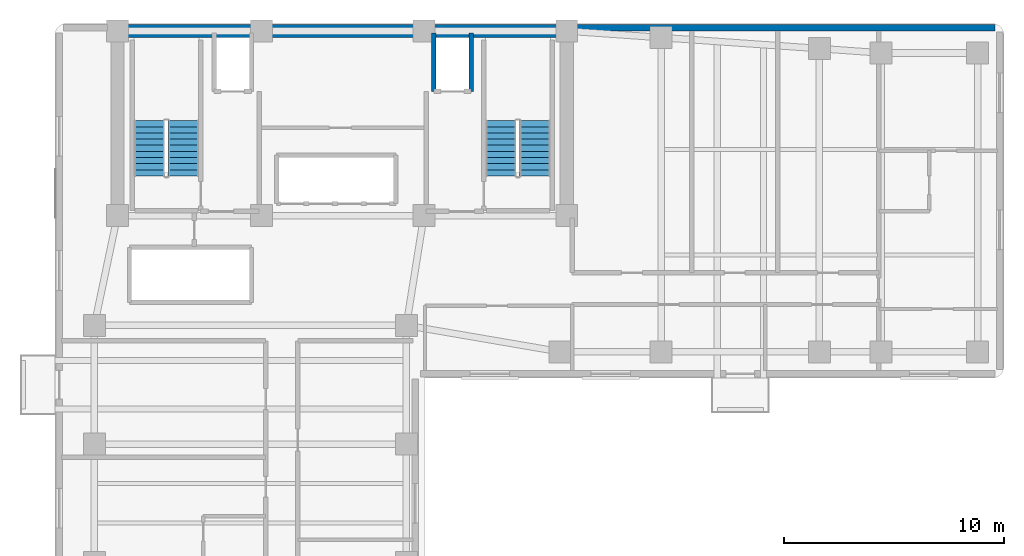
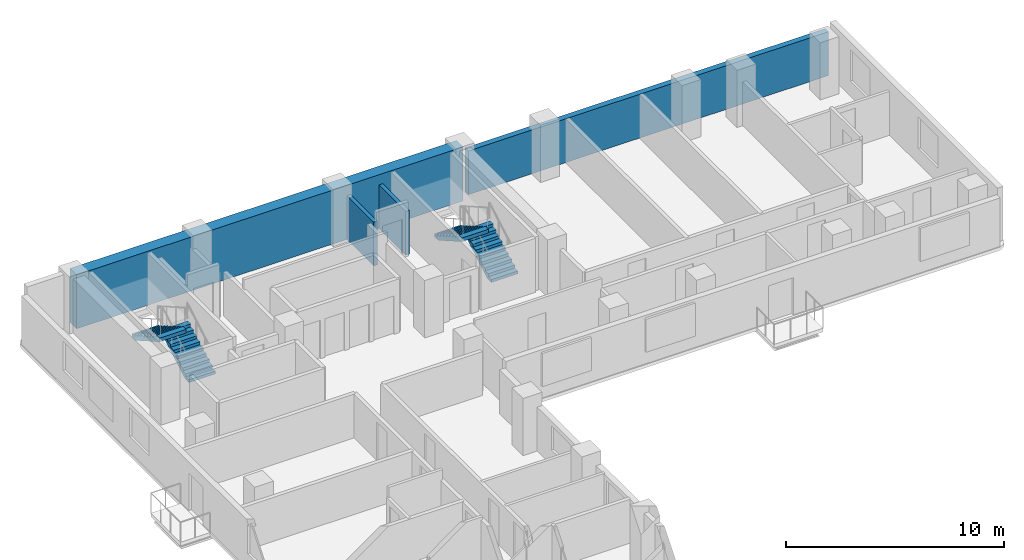
# One storey, part 5 of 7: 4 stair flights, 4 walls, 2 elements without a shape of their own.
"""IFC4 building model written with IfcOpenShell, lengths in metres."""

from ifc_helpers import new_model, si_unit, direction, frame, frame_2d, origin, place, context, subcontext, project, spatial, polyline, rectangle, outline, extrude, material, layer, layer_set, type_object, element, aggregate, save


model = new_model("IFC4")

# Units and contexts
model_context = context("Model", 3, precision=1e-05, world=origin(), true_north=direction((0.0, 1.0)))
body_context = subcontext(model_context, "Body", "Model", "MODEL_VIEW")
ifc_project = project(units=[si_unit("LENGTHUNIT", "METRE"), si_unit("AREAUNIT", "SQUARE_METRE"), si_unit("VOLUMEUNIT", "CUBIC_METRE"), si_unit("PLANEANGLEUNIT", "RADIAN"), si_unit("MASSUNIT", "GRAM", prefix="KILO")], contexts=[model_context])

# Site, building, storey
site_placement = place(None, origin())
site = spatial("IfcSite", under=ifc_project, at=site_placement, CompositionType="ELEMENT")
building_placement = place(site_placement, origin())
building = spatial("IfcBuilding", under=site, at=building_placement, Name="Kuzgunbayir Cultural Tower", CompositionType="ELEMENT")
storey_placement = place(building_placement, frame((0.0, 0.0, 136.199951171875)))
storey = spatial("IfcBuildingStorey", under=building, at=storey_placement, Name="L39", CompositionType="ELEMENT", Elevation=136.199951171875)

# Walls
ifc_material_1 = material(Name="Concrete C60/75", Category="concrete")
ifc_layer_1 = layer(ifc_material_1, 0.60009765625)
ifc_layer_set_1 = layer_set([ifc_layer_1], Name="Concrete C60/75")
wall_type_1 = type_object("IfcWallType", Name="WAL-CORE-600", PredefinedType="SHEAR", material=ifc_layer_set_1)
wall_1_placement = place(storey_placement, frame((6.449951171875, 42.199951171875, 0.0), z_axis=(0.0, 0.0, 1.0), x_axis=(1.0, 0.0, 0.0)))
element("IfcWall", 1, at=wall_1_placement, inside=storey, type_object=wall_type_1, Name="L39 T1 Core North Shear Wall", PredefinedType="SHEAR", context=body_context, shape_type="SweptSolid", body=[
    extrude(rectangle(XDim=20.449951171875, YDim=0.60009765625, at=frame_2d((10.22509765625, 0.0))), origin(), (0.0, 0.0, 1.0), 3.02001953125),
])
ifc_material_2 = material(Name="Anatolian Cream Limestone", Category="masonry")
ifc_layer_2 = layer(ifc_material_2, 0.300048828125)
ifc_layer_set_2 = layer_set([ifc_layer_2], Name="Anatolian Cream Limestone")
wall_type_2 = type_object("IfcWallType", Name="WAL-EXT-STONE-300", PredefinedType="STANDARD", material=ifc_layer_set_2)
wall_2_placement = place(storey_placement, frame((46.39990234375, 42.35009765625, 0.0), z_axis=(0.0, 0.0, 1.0), x_axis=(-1.0, 0.0, 0.0)))
element("IfcWall", 2, at=wall_2_placement, inside=storey, type_object=wall_type_2, Name="L39 North Wing B Limestone Wall", PredefinedType="STANDARD", context=body_context, shape_type="SweptSolid", body=[
    extrude(rectangle(XDim=19.0498046875, YDim=0.300048828125, at=frame_2d((9.52490234375, 0.0))), origin(), (0.0, 0.0, 1.0), 2.449951171875),
])
ifc_material_3 = material(Name="Concrete C40/50", Category="concrete")
ifc_layer_3 = layer(ifc_material_3, 0.199951171875)
ifc_layer_set_3 = layer_set([ifc_layer_3], Name="Concrete C40/50")
wall_type_3 = type_object("IfcWallType", Name="WAL-SHAFT-200", PredefinedType="MOVABLE", material=ifc_layer_set_3)
for number, where, z_axis, x_axis, name in (
    (3, (20.85009765625, 39.449951171875, 0.0), (0.0, 0.0, 1.0), (0.0, 1.0, 0.0), "L39 FFL-2 Shaft West Wall"),
    (4, (22.550048828125, 39.449951171875, 0.0), (0.0, 0.0, 1.0), (0.0, 1.0, 0.0), "L39 FFL-2 Shaft East Wall"),
):
    element("IfcWall", number, at=place(storey_placement, frame(where, z_axis=z_axis, x_axis=x_axis)), inside=storey, type_object=wall_type_3, Name=name, PredefinedType="MOVABLE", context=body_context, shape_type="SweptSolid", body=[
        extrude(rectangle(XDim=2.650146484375, YDim=0.199951171875, at=frame_2d((1.3251953125, 0.0))), origin(), (0.0, 0.0, 1.0), 2.449951171875),
    ])

# Stair, stair flights
stair_type = type_object("IfcStairType", Name="STR-EXIT-CORE", PredefinedType="HALF_TURN_STAIR", material=ifc_material_3)
stair_1_placement = place(storey_placement, origin())
stair_1 = element("IfcStair", 5, at=stair_1_placement, inside=storey, type_object=stair_type, Name="L39 ST-1", PredefinedType="HALF_TURN_STAIR")
stair_flight_type = type_object("IfcStairFlightType", Name="STRF-RC-140", PredefinedType="STRAIGHT", material=ifc_material_3)
stair_flight_1_placement = place(storey_placement, frame((9.4599609375, 35.60009765625, 0.0), z_axis=(0.0, 0.0, 1.0), x_axis=(0.0, 1.0, 0.0)))
stair_flight_1 = element("IfcStairFlight", 6, at=stair_flight_1_placement, type_object=stair_flight_type, Name="ST-1 flight 1", NumberOfRisers=10, NumberOfTreads=9, PredefinedType="STRAIGHT", RiserHeight=0.16, TreadLength=0.28, context=body_context, shape_type="SweptSolid", body=[
    extrude(outline(polyline([(0.0, 0.0), (0.0, 0.159912109375), (0.280029296875, 0.159912109375), (0.280029296875, 0.320068359375), (0.56005859375, 0.320068359375), (0.56005859375, 0.47998046875), (0.840087890625, 0.47998046875), (0.840087890625, 0.639892578125), (1.1201171875, 0.639892578125), (1.1201171875, 0.800048828125), (1.39990234375, 0.800048828125), (1.39990234375, 0.9599609375), (1.679931640625, 0.9599609375), (1.679931640625, 1.1201171875), (1.9599609375, 1.1201171875), (1.9599609375, 1.280029296875), (2.239990234375, 1.280029296875), (2.239990234375, 1.43994140625), (2.52001953125, 1.43994140625), (2.52001953125, 1.60009765625), (2.52001953125, 1.232666015625), (0.362548828125, 0.0), (0.0, 0.0)])), frame((0.0, 0.699951171875, 0.0), z_axis=(0.0, -1.0, 0.0), x_axis=(1.0, 0.0, 0.0)), (0.0, 0.0, 1.0), 1.39990234375),
])
stair_flight_2_placement = place(storey_placement, frame((7.89990234375, 38.1201171875, 1.60009765625), z_axis=(0.0, 0.0, 1.0), x_axis=(0.0, -1.0, 0.0)))
stair_flight_2 = element("IfcStairFlight", 7, at=stair_flight_2_placement, type_object=stair_flight_type, Name="ST-1 flight 2", NumberOfRisers=10, NumberOfTreads=9, PredefinedType="STRAIGHT", RiserHeight=0.16, TreadLength=0.28, context=body_context, shape_type="SweptSolid", body=[
    extrude(outline(polyline([(0.0, 0.0), (0.0, 0.159912109375), (0.280029296875, 0.159912109375), (0.280029296875, 0.320068359375), (0.56005859375, 0.320068359375), (0.56005859375, 0.47998046875), (0.840087890625, 0.47998046875), (0.840087890625, 0.639892578125), (1.1201171875, 0.639892578125), (1.1201171875, 0.800048828125), (1.39990234375, 0.800048828125), (1.39990234375, 0.9599609375), (1.679931640625, 0.9599609375), (1.679931640625, 1.1201171875), (1.9599609375, 1.1201171875), (1.9599609375, 1.280029296875), (2.239990234375, 1.280029296875), (2.239990234375, 1.43994140625), (2.52001953125, 1.43994140625), (2.52001953125, 1.60009765625), (2.52001953125, 1.232666015625), (0.362548828125, 0.0), (0.0, 0.0)])), frame((0.0, 0.699951171875, 0.0), z_axis=(0.0, -1.0, 0.0), x_axis=(1.0, 0.0, 0.0)), (0.0, 0.0, 1.0), 1.39990234375),
])
aggregate(stair_1, [stair_flight_1, stair_flight_2])

stair_2_placement = place(storey_placement, origin())
stair_2 = element("IfcStair", 8, at=stair_2_placement, inside=storey, type_object=stair_type, Name="L39 ST-2", PredefinedType="HALF_TURN_STAIR")
stair_flight_3_placement = place(storey_placement, frame((25.4599609375, 35.60009765625, 0.0), z_axis=(0.0, 0.0, 1.0), x_axis=(0.0, 1.0, 0.0)))
stair_flight_3 = element("IfcStairFlight", 9, at=stair_flight_3_placement, type_object=stair_flight_type, Name="ST-2 flight 1", NumberOfRisers=10, NumberOfTreads=9, PredefinedType="STRAIGHT", RiserHeight=0.16, TreadLength=0.28, context=body_context, shape_type="SweptSolid", body=[
    extrude(outline(polyline([(0.0, 0.0), (0.0, 0.159912109375), (0.280029296875, 0.159912109375), (0.280029296875, 0.320068359375), (0.56005859375, 0.320068359375), (0.56005859375, 0.47998046875), (0.840087890625, 0.47998046875), (0.840087890625, 0.639892578125), (1.1201171875, 0.639892578125), (1.1201171875, 0.800048828125), (1.39990234375, 0.800048828125), (1.39990234375, 0.9599609375), (1.679931640625, 0.9599609375), (1.679931640625, 1.1201171875), (1.9599609375, 1.1201171875), (1.9599609375, 1.280029296875), (2.239990234375, 1.280029296875), (2.239990234375, 1.43994140625), (2.52001953125, 1.43994140625), (2.52001953125, 1.60009765625), (2.52001953125, 1.232666015625), (0.362548828125, 0.0), (0.0, 0.0)])), frame((0.0, 0.699951171875, 0.0), z_axis=(0.0, -1.0, 0.0), x_axis=(1.0, 0.0, 0.0)), (0.0, 0.0, 1.0), 1.39990234375),
])
stair_flight_4_placement = place(storey_placement, frame((23.89990234375, 38.1201171875, 1.60009765625), z_axis=(0.0, 0.0, 1.0), x_axis=(0.0, -1.0, 0.0)))
stair_flight_4 = element("IfcStairFlight", 10, at=stair_flight_4_placement, type_object=stair_flight_type, Name="ST-2 flight 2", NumberOfRisers=10, NumberOfTreads=9, PredefinedType="STRAIGHT", RiserHeight=0.16, TreadLength=0.28, context=body_context, shape_type="SweptSolid", body=[
    extrude(outline(polyline([(0.0, 0.0), (0.0, 0.159912109375), (0.280029296875, 0.159912109375), (0.280029296875, 0.320068359375), (0.56005859375, 0.320068359375), (0.56005859375, 0.47998046875), (0.840087890625, 0.47998046875), (0.840087890625, 0.639892578125), (1.1201171875, 0.639892578125), (1.1201171875, 0.800048828125), (1.39990234375, 0.800048828125), (1.39990234375, 0.9599609375), (1.679931640625, 0.9599609375), (1.679931640625, 1.1201171875), (1.9599609375, 1.1201171875), (1.9599609375, 1.280029296875), (2.239990234375, 1.280029296875), (2.239990234375, 1.43994140625), (2.52001953125, 1.43994140625), (2.52001953125, 1.60009765625), (2.52001953125, 1.232666015625), (0.362548828125, 0.0), (0.0, 0.0)])), frame((0.0, 0.699951171875, 0.0), z_axis=(0.0, -1.0, 0.0), x_axis=(1.0, 0.0, 0.0)), (0.0, 0.0, 1.0), 1.39990234375),
])
aggregate(stair_2, [stair_flight_3, stair_flight_4])

save(model, "model.ifc")
